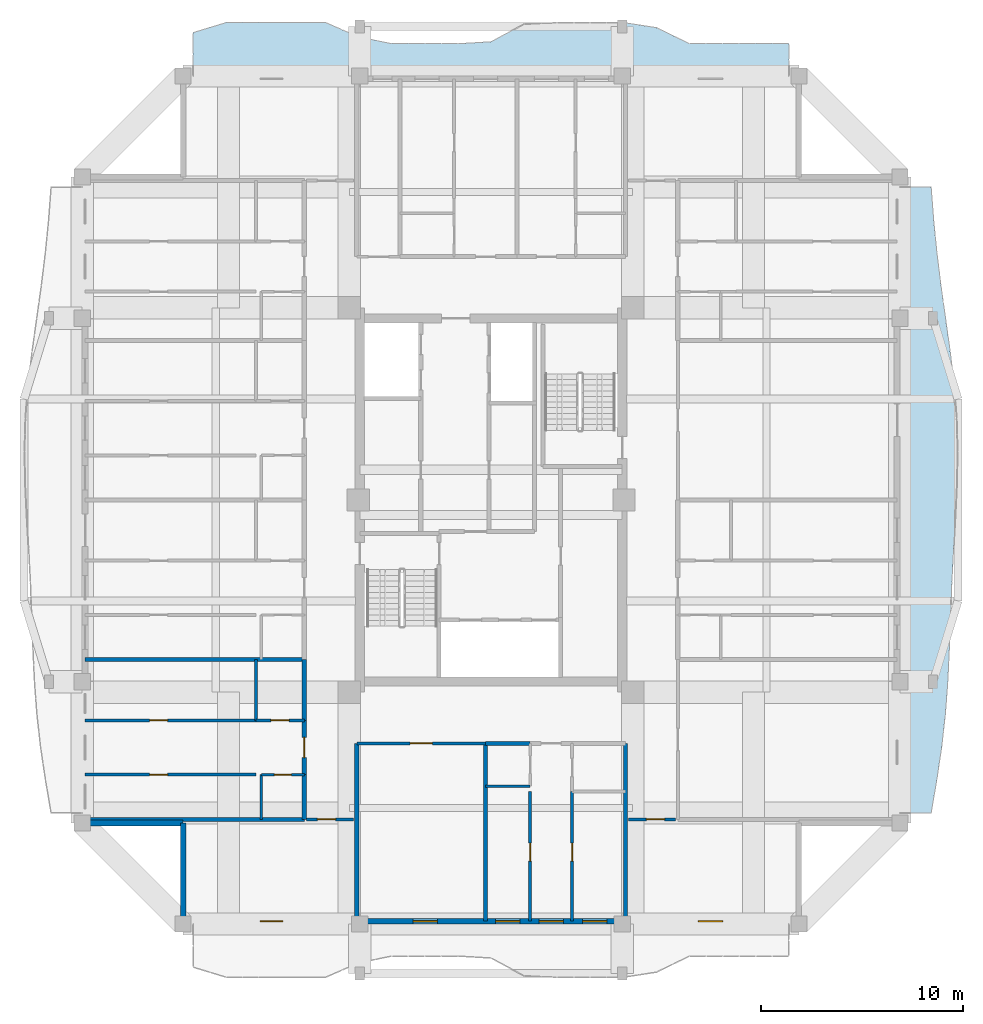
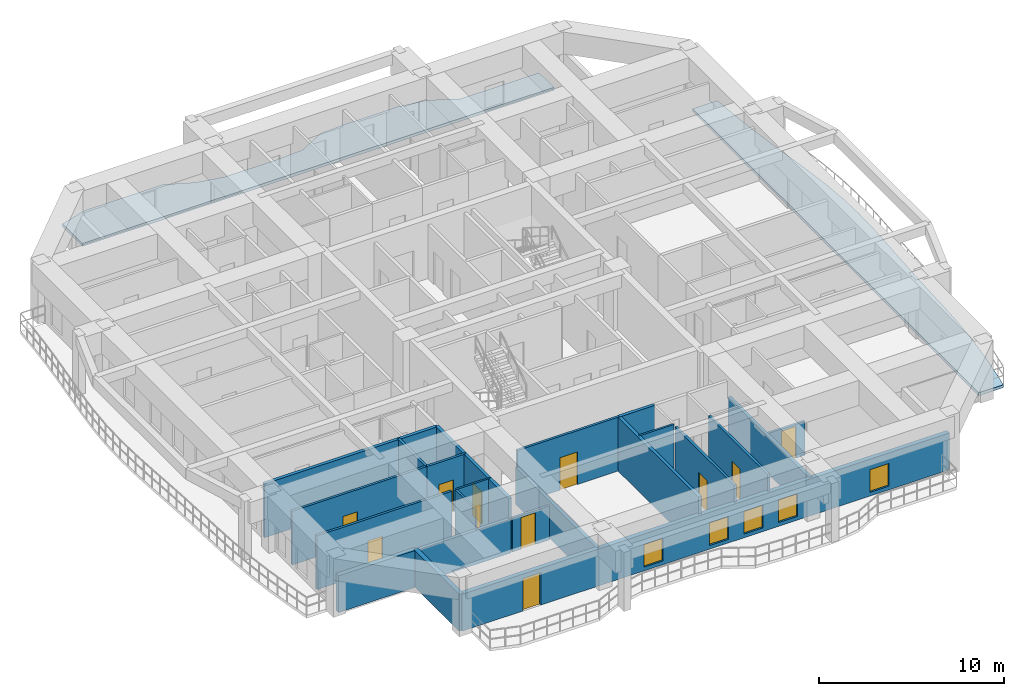
# One storey, part 2 of 13: 24 walls, 11 doors, 5 windows, 2 slabs, 16 openings.
"""IFC4 building model written with IfcOpenShell, lengths in metres."""

from ifc_helpers import new_model, si_unit, direction, frame, frame_2d, origin, place, context, subcontext, project, spatial, polyline, rectangle, outline, extrude, source, transform, mapped, material, layer, layer_set, type_object, element, fill, save


model = new_model("IFC4")

# Units and contexts
model_context = context("Model", 3, precision=1e-05, world=origin(), true_north=direction((0.0, 1.0)))
body_context = subcontext(model_context, "Body", "Model", "MODEL_VIEW")
ifc_project = project(units=[si_unit("LENGTHUNIT", "METRE"), si_unit("AREAUNIT", "SQUARE_METRE"), si_unit("VOLUMEUNIT", "CUBIC_METRE"), si_unit("PLANEANGLEUNIT", "RADIAN"), si_unit("MASSUNIT", "GRAM", prefix="KILO")], contexts=[model_context])

# Site, building, storey
site_placement = place(None, origin())
site = spatial("IfcSite", under=ifc_project, at=site_placement, CompositionType="ELEMENT")
building_placement = place(site_placement, origin())
building = spatial("IfcBuilding", under=site, at=building_placement, Name="Saelheon Loggia Tower", CompositionType="ELEMENT")
storey_placement = place(building_placement, frame((0.0, 0.0, 192.699951171875)))
storey = spatial("IfcBuildingStorey", under=building, at=storey_placement, Name="L60", CompositionType="ELEMENT", Elevation=192.699951171875)

# Slabs
ifc_material_1 = material(Name="Precast Concrete C45/55", Category="concrete")
ifc_layer_1 = layer(ifc_material_1, 0.18994140625)
ifc_layer_set_1 = layer_set([ifc_layer_1], Name="Precast Concrete C45/55")
slab_type = type_object("IfcSlabType", Name="Slab_Loggia_Ext_190", PredefinedType="FLOOR", material=ifc_layer_set_1)
slab_1_placement = place(storey_placement, frame((0.0, 0.0, -0.18994140625)))
element("IfcSlab", 1, at=slab_1_placement, inside=storey, type_object=slab_type, Name="L60 Loggia Balcony Slab N", PredefinedType="FLOOR", context=body_context, shape_type="SweptSolid", body=[
    extrude(outline(polyline([(23.25, 48.0), (52.75, 48.0), (52.75, 49.60009765625), (51.111083984375, 49.60009765625), (49.47216796875, 49.60009765625), (47.833251953125, 49.60009765625), (46.1943359375, 50.396240234375), (44.5556640625, 50.64990234375), (42.916748046875, 50.64990234375), (41.27783203125, 50.64990234375), (39.638916015625, 50.57177734375), (38.0, 49.69677734375), (36.361083984375, 49.60009765625), (34.72216796875, 49.60009765625), (33.083251953125, 49.60009765625), (31.4443359375, 49.936279296875), (29.8056640625, 50.64990234375), (28.166748046875, 50.64990234375), (26.52783203125, 50.64990234375), (24.888916015625, 50.64990234375), (23.25, 50.14990234375), (23.25, 48.0)])), origin(), (0.0, 0.0, 1.0), 0.18994140625),
])
slab_2_placement = place(storey_placement, frame((0.0, 0.0, -0.18994140625)))
element("IfcSlab", 2, at=slab_2_placement, inside=storey, type_object=slab_type, Name="L60 Loggia Balcony Slab E", PredefinedType="FLOOR", context=body_context, shape_type="SweptSolid", body=[
    extrude(outline(polyline([(58.25, 11.5), (59.800048828125, 11.5), (60.0791015625, 13.131591796875), (60.322021484375, 14.76318359375), (60.50537109375, 16.394775390625), (60.626708984375, 18.0263671875), (60.702392578125, 19.657958984375), (60.76025390625, 21.28955078125), (60.825439453125, 22.921142578125), (60.9091796875, 24.552490234375), (61.00244140625, 26.18408203125), (61.079833984375, 27.81591796875), (61.10888671875, 29.447509765625), (61.064697265625, 31.078857421875), (60.939208984375, 32.71044921875), (60.746337890625, 34.342041015625), (60.517578125, 35.9736328125), (60.28857421875, 37.605224609375), (60.087646484375, 39.23681640625), (59.925048828125, 40.868408203125), (59.800048828125, 42.5), (58.25, 42.5), (58.25, 11.5)])), origin(), (0.0, 0.0, 1.0), 0.18994140625),
])

# Wall, openings, windows, door
ifc_material_2 = material(Name="Architectural Precast Concrete C40/50", Category="concrete")
ifc_layer_2 = layer(ifc_material_2, 0.280029296875)
ifc_layer_set_2 = layer_set([ifc_layer_2], Name="Architectural Precast Concrete C40/50")
wall_type_1 = type_object("IfcWallType", Name="Wall_Ext_Loggia_280", PredefinedType="SOLIDWALL", material=ifc_layer_set_2)
wall_1_placement = place(storey_placement, frame((22.75, 6.139892578125, 0.0), z_axis=(0.0, 0.0, 1.0), x_axis=(1.0, 0.0, 0.0)))
wall_1 = element("IfcWall", 3, at=wall_1_placement, inside=storey, type_object=wall_type_1, Name="L60 South Loggia Inner Wall", PredefinedType="SOLIDWALL", context=body_context, shape_type="SweptSolid", body=[
    extrude(rectangle(XDim=30.5, YDim=0.280029296875, at=frame_2d((15.25, 0.0))), origin(), (0.0, 0.0, 1.0), 2.43994140625),
])
opening_1_placement = place(wall_1_placement, frame((4.925048828125, 0.0, 0.0), z_axis=(0.0, 0.0, 1.0), x_axis=(-1.0, 0.0, 0.0)))
opening_1 = element("IfcOpeningElement", 4, at=opening_1_placement, cuts=wall_1, Name="Opening TD1", PredefinedType="OPENING", context=body_context, shape_type="SweptSolid", body=[
    extrude(rectangle(XDim=1.10009765625, YDim=2.14990234375, at=frame_2d((0.550048828125, 1.074951171875))), frame((0.0, 0.152099609375, 0.0), z_axis=(0.0, -1.0, 0.0), x_axis=(1.0, 0.0, 0.0)), (0.0, 0.0, 1.0), 0.303955078125),
])
opening_2_placement = place(wall_1_placement, frame((11.386962890625, 0.0, 0.25)))
opening_2 = element("IfcOpeningElement", 5, at=opening_2_placement, cuts=wall_1, Name="Opening WN-03", PredefinedType="OPENING", context=body_context, shape_type="SweptSolid", body=[
    extrude(rectangle(XDim=1.199951171875, YDim=1.5, at=frame_2d((0.60009765625, 0.75))), frame((0.0, 0.152099609375, 0.0), z_axis=(0.0, -1.0, 0.0), x_axis=(1.0, 0.0, 0.0)), (0.0, 0.0, 1.0), 0.303955078125),
])
opening_3_placement = place(wall_1_placement, frame((15.48388671875, 0.0, 0.25)))
opening_3 = element("IfcOpeningElement", 6, at=opening_3_placement, cuts=wall_1, Name="Opening WN-03", PredefinedType="OPENING", context=body_context, shape_type="SweptSolid", body=[
    extrude(rectangle(XDim=1.199951171875, YDim=1.5, at=frame_2d((0.60009765625, 0.75))), frame((0.0, 0.152099609375, 0.0), z_axis=(0.0, -1.0, 0.0), x_axis=(1.0, 0.0, 0.0)), (0.0, 0.0, 1.0), 0.303955078125),
])
opening_4_placement = place(wall_1_placement, frame((17.6279296875, 0.0, 0.25)))
opening_4 = element("IfcOpeningElement", 7, at=opening_4_placement, cuts=wall_1, Name="Opening WN-03", PredefinedType="OPENING", context=body_context, shape_type="SweptSolid", body=[
    extrude(rectangle(XDim=1.199951171875, YDim=1.5, at=frame_2d((0.60009765625, 0.75))), frame((0.0, 0.152099609375, 0.0), z_axis=(0.0, -1.0, 0.0), x_axis=(1.0, 0.0, 0.0)), (0.0, 0.0, 1.0), 0.303955078125),
])
opening_5_placement = place(wall_1_placement, frame((19.791015625, 0.0, 0.25)))
opening_5 = element("IfcOpeningElement", 8, at=opening_5_placement, cuts=wall_1, Name="Opening WN-03", PredefinedType="OPENING", context=body_context, shape_type="SweptSolid", body=[
    extrude(rectangle(XDim=1.199951171875, YDim=1.5, at=frame_2d((0.60009765625, 0.75))), frame((0.0, 0.152099609375, 0.0), z_axis=(0.0, -1.0, 0.0), x_axis=(1.0, 0.0, 0.0)), (0.0, 0.0, 1.0), 0.303955078125),
])
opening_6_placement = place(wall_1_placement, frame((25.52490234375, 0.0, 0.25)))
opening_6 = element("IfcOpeningElement", 9, at=opening_6_placement, cuts=wall_1, Name="Opening WN-03", PredefinedType="OPENING", context=body_context, shape_type="SweptSolid", body=[
    extrude(rectangle(XDim=1.199951171875, YDim=1.5, at=frame_2d((0.60009765625, 0.75))), frame((0.0, 0.152099609375, 0.0), z_axis=(0.0, -1.0, 0.0), x_axis=(1.0, 0.0, 0.0)), (0.0, 0.0, 1.0), 0.303955078125),
])
ifc_material_3 = material(Name="Thermal-Break Aluminium and Triple Low-E Glass", Category="aluminium")
window_type = type_object("IfcWindowType", Name="Win_Bedroom_1200x1500", PartitioningType="SINGLE_PANEL", PredefinedType="WINDOW", material=ifc_material_3)
shared_shape_1 = source(origin(), body_context, "Body", "SweptSolid", [
    extrude(rectangle(XDim=1.199951171875, YDim=1.5, at=frame_2d((0.60009765625, 0.75))), frame((0.0, 0.030029296875, 0.0), z_axis=(0.0, -1.0, 0.0), x_axis=(1.0, 0.0, 0.0)), (0.0, 0.0, 1.0), 0.06005859375),
])
window_1_placement = place(opening_2_placement, origin())
window_1 = element("IfcWindow", 10, at=window_1_placement, inside=storey, type_object=window_type, Name="L60 S Dwelling Window 2", OverallHeight=1.5, OverallWidth=1.199951171875, PartitioningType="SINGLE_PANEL", PredefinedType="WINDOW", context=body_context, shape_type="MappedRepresentation", body=[
    mapped(shared_shape_1, transform((0.0, 0.0, 0.0), scale=1.0)),
])
fill(opening_2, window_1)
window_2_placement = place(opening_3_placement, origin())
window_2 = element("IfcWindow", 11, at=window_2_placement, inside=storey, type_object=window_type, Name="L60 S Dwelling Window 3", OverallHeight=1.5, OverallWidth=1.199951171875, PartitioningType="SINGLE_PANEL", PredefinedType="WINDOW", context=body_context, shape_type="MappedRepresentation", body=[
    mapped(shared_shape_1, transform((0.0, 0.0, 0.0), scale=1.0)),
])
fill(opening_3, window_2)
window_3_placement = place(opening_4_placement, origin())
window_3 = element("IfcWindow", 12, at=window_3_placement, inside=storey, type_object=window_type, Name="L60 S Dwelling Window 4", OverallHeight=1.5, OverallWidth=1.199951171875, PartitioningType="SINGLE_PANEL", PredefinedType="WINDOW", context=body_context, shape_type="MappedRepresentation", body=[
    mapped(shared_shape_1, transform((0.0, 0.0, 0.0), scale=1.0)),
])
fill(opening_4, window_3)
window_4_placement = place(opening_5_placement, origin())
window_4 = element("IfcWindow", 13, at=window_4_placement, inside=storey, type_object=window_type, Name="L60 S Dwelling Window 5", OverallHeight=1.5, OverallWidth=1.199951171875, PartitioningType="SINGLE_PANEL", PredefinedType="WINDOW", context=body_context, shape_type="MappedRepresentation", body=[
    mapped(shared_shape_1, transform((0.0, 0.0, 0.0), scale=1.0)),
])
fill(opening_5, window_4)
window_5_placement = place(opening_6_placement, origin())
window_5 = element("IfcWindow", 14, at=window_5_placement, inside=storey, type_object=window_type, Name="L60 S Dwelling Window 6", OverallHeight=1.5, OverallWidth=1.199951171875, PartitioningType="SINGLE_PANEL", PredefinedType="WINDOW", context=body_context, shape_type="MappedRepresentation", body=[
    mapped(shared_shape_1, transform((0.0, 0.0, 0.0), scale=1.0)),
])
fill(opening_6, window_5)
ifc_material_4 = material(Name="Thermal-Break Aluminium Glazed Door", Category="aluminium")
door_type_1 = type_object("IfcDoorType", Name="Door_Terrace_TD1", OperationType="NOTDEFINED", PredefinedType="DOOR", material=ifc_material_4)
shared_shape_2 = source(origin(), body_context, "Body", "SweptSolid", [
    extrude(rectangle(XDim=1.10009765625, YDim=2.14990234375, at=frame_2d((0.550048828125, 1.074951171875))), frame((0.0, 0.02490234375, 0.0), z_axis=(0.0, -1.0, 0.0), x_axis=(1.0, 0.0, 0.0)), (0.0, 0.0, 1.0), 0.050048828125),
])
door_1_placement = place(opening_1_placement, origin())
door_1 = element("IfcDoor", 15, at=door_1_placement, inside=storey, type_object=door_type_1, Name="L60 S Loggia Access Door", OperationType="SINGLE_SWING_LEFT", OverallHeight=2.14990234375, OverallWidth=1.10009765625, PredefinedType="DOOR", context=body_context, shape_type="MappedRepresentation", body=[
    mapped(shared_shape_2, transform((0.0, 0.0, 0.0), scale=1.0)),
])
fill(opening_1, door_1)

# Walls
for number, where, z_axis, x_axis, name in (
    (16, (22.75, 6.080078125, 0.0), (0.0, 0.0, 1.0), (0.0, 1.0, 0.0), "L60 Corner Notch Precast Wall SW1"),
    (17, (17.830078125, 11.0, 0.0), (0.0, 0.0, 1.0), (1.0, 0.0, 0.0), "L60 Corner Notch Precast Wall SW2"),
):
    element("IfcWall", number, at=place(storey_placement, frame(where, z_axis=z_axis, x_axis=x_axis)), inside=storey, type_object=wall_type_1, Name=name, PredefinedType="SOLIDWALL", context=body_context, shape_type="SweptSolid", body=[
        extrude(rectangle(XDim=4.919921875, YDim=0.280029296875, at=frame_2d((2.4599609375, 0.0))), origin(), (0.0, 0.0, 1.0), 2.43994140625),
    ])

# Wall, opening, door
ifc_material_5 = material(Name="Lightweight Autoclaved Aerated Concrete Block and Acoustic Gypsum", Category="concrete")
ifc_layer_3 = layer(ifc_material_5, 0.14990234375)
ifc_layer_set_3 = layer_set([ifc_layer_3], Name="Lightweight Autoclaved Aerated Concrete Block and Acoustic Gypsum")
wall_type_2 = type_object("IfcWallType", Name="Wall_Part_150", PredefinedType="PARTITIONING", material=ifc_layer_set_3)
wall_2_placement = place(storey_placement, frame((28.85009765625, 11.179931640625, 0.0), z_axis=(0.0, 0.0, 1.0), x_axis=(1.0, 0.0, 0.0)))
wall_2 = element("IfcWall", 18, at=wall_2_placement, inside=storey, type_object=wall_type_2, Name="PW-L60-CSW-H", PredefinedType="PARTITIONING", context=body_context, shape_type="SweptSolid", body=[
    extrude(rectangle(XDim=2.329833984375, YDim=0.14990234375, at=frame_2d((1.1650390625, 0.0))), origin(), (0.0, 0.0, 1.0), 2.239990234375),
])
opening_7_placement = place(wall_2_placement, frame((0.550048828125, 0.0, 0.0)))
opening_7 = element("IfcOpeningElement", 19, at=opening_7_placement, cuts=wall_2, Name="Opening D-IN2", PredefinedType="OPENING", context=body_context, shape_type="SweptSolid", body=[
    extrude(rectangle(XDim=0.89990234375, YDim=2.10009765625, at=frame_2d((0.449951171875, 1.050048828125))), frame((0.0, 0.0869140625, 0.0), z_axis=(0.0, -1.0, 0.0), x_axis=(1.0, 0.0, 0.0)), (0.0, 0.0, 1.0), 0.173828125),
])
ifc_material_6 = material(Name="Engineered Oak Flush Door", Category="timber")
door_type_2 = type_object("IfcDoorType", Name="Door_Int_900", OperationType="NOTDEFINED", PredefinedType="DOOR", material=ifc_material_6)
shared_shape_3 = source(origin(), body_context, "Body", "SweptSolid", [
    extrude(rectangle(XDim=0.89990234375, YDim=2.10009765625, at=frame_2d((0.449951171875, 1.050048828125))), frame((0.0, 0.02490234375, 0.0), z_axis=(0.0, -1.0, 0.0), x_axis=(1.0, 0.0, 0.0)), (0.0, 0.0, 1.0), 0.050048828125),
])
door_2_placement = place(opening_7_placement, origin())
door_2 = element("IfcDoor", 20, at=door_2_placement, inside=storey, type_object=door_type_2, Name="L60 Corner Home Office SW Door", OperationType="SINGLE_SWING_LEFT", OverallHeight=2.10009765625, OverallWidth=0.89990234375, PredefinedType="DOOR", context=body_context, shape_type="MappedRepresentation", body=[
    mapped(shared_shape_3, transform((0.0, 0.0, 0.0), scale=1.0)),
])
fill(opening_7, door_2)

wall_3_placement = place(storey_placement, frame((44.820068359375, 11.179931640625, 0.0), z_axis=(0.0, 0.0, 1.0), x_axis=(1.0, 0.0, 0.0)))
wall_3 = element("IfcWall", 21, at=wall_3_placement, inside=storey, type_object=wall_type_2, Name="PW-L60-CSE-H", PredefinedType="PARTITIONING", context=body_context, shape_type="SweptSolid", body=[
    extrude(rectangle(XDim=2.329833984375, YDim=0.14990234375, at=frame_2d((1.1650390625, 0.0))), origin(), (0.0, 0.0, 1.0), 2.239990234375),
])
opening_8_placement = place(wall_3_placement, frame((0.8798828125, 0.0, 0.0)))
opening_8 = element("IfcOpeningElement", 22, at=opening_8_placement, cuts=wall_3, Name="Opening D-IN2", PredefinedType="OPENING", context=body_context, shape_type="SweptSolid", body=[
    extrude(rectangle(XDim=0.89990234375, YDim=2.10009765625, at=frame_2d((0.449951171875, 1.050048828125))), frame((0.0, 0.0869140625, 0.0), z_axis=(0.0, -1.0, 0.0), x_axis=(1.0, 0.0, 0.0)), (0.0, 0.0, 1.0), 0.173828125),
])
door_3_placement = place(opening_8_placement, origin())
door_3 = element("IfcDoor", 23, at=door_3_placement, inside=storey, type_object=door_type_2, Name="L60 Corner Reading Room SE Door", OperationType="SINGLE_SWING_LEFT", OverallHeight=2.10009765625, OverallWidth=0.89990234375, PredefinedType="DOOR", context=body_context, shape_type="MappedRepresentation", body=[
    mapped(shared_shape_3, transform((0.0, 0.0, 0.0), scale=1.0)),
])
fill(opening_8, door_3)

wall_4_placement = place(storey_placement, frame((31.35009765625, 14.949951171875, 0.0), z_axis=(0.0, 0.0, 1.0), x_axis=(1.0, 0.0, 0.0)))
wall_4 = element("IfcWall", 24, at=wall_4_placement, inside=storey, type_object=wall_type_2, Name="L60 S Partition V03", PredefinedType="PARTITIONING", context=body_context, shape_type="SweptSolid", body=[
    extrude(rectangle(XDim=6.3837890625, YDim=0.14990234375, at=frame_2d((3.19189453125, 0.0))), origin(), (0.0, 0.0, 1.0), 3.56005859375),
])
opening_9_placement = place(wall_4_placement, frame((2.64208984375, 0.0, 0.0)))
opening_9 = element("IfcOpeningElement", 25, at=opening_9_placement, cuts=wall_4, Name="Opening D-FD2", PredefinedType="OPENING", context=body_context, shape_type="SweptSolid", body=[
    extrude(rectangle(XDim=1.10009765625, YDim=2.14990234375, at=frame_2d((0.550048828125, 1.074951171875))), frame((0.0, 0.0869140625, 0.0), z_axis=(0.0, -1.0, 0.0), x_axis=(1.0, 0.0, 0.0)), (0.0, 0.0, 1.0), 0.173828125),
])
ifc_material_7 = material(Name="Galvanised Steel Fire Door", Category="steel")
door_type_3 = type_object("IfcDoorType", Name="Door_Fire_FD60_1100", OperationType="NOTDEFINED", PredefinedType="DOOR", material=ifc_material_7)
door_4_placement = place(opening_9_placement, origin())
door_4 = element("IfcDoor", 26, at=door_4_placement, inside=storey, type_object=door_type_3, Name="L60 Sky Community Club Hall Door A", OperationType="SINGLE_SWING_LEFT", OverallHeight=2.14990234375, OverallWidth=1.10009765625, PredefinedType="DOOR", context=body_context, shape_type="MappedRepresentation", body=[
    mapped(shared_shape_2, transform((0.0, 0.0, 0.0), scale=1.0)),
])
fill(opening_9, door_4)

wall_5_placement = place(storey_placement, frame((39.93408203125, 12.550048828125, 0.0), z_axis=(0.0, 0.0, 1.0), x_axis=(0.0, -1.0, 0.0)))
wall_5 = element("IfcWall", 27, at=wall_5_placement, inside=storey, type_object=wall_type_2, Name="L60 S Partition U11", PredefinedType="PARTITIONING", context=body_context, shape_type="SweptSolid", body=[
    extrude(rectangle(XDim=6.400146484375, YDim=0.14990234375, at=frame_2d((3.2001953125, 0.0))), origin(), (0.0, 0.0, 1.0), 3.56005859375),
])
opening_10_placement = place(wall_5_placement, frame((2.540771484375, 0.0, 0.0)))
opening_10 = element("IfcOpeningElement", 28, at=opening_10_placement, cuts=wall_5, Name="Opening D-IN2", PredefinedType="OPENING", context=body_context, shape_type="SweptSolid", body=[
    extrude(rectangle(XDim=0.89990234375, YDim=2.10009765625, at=frame_2d((0.449951171875, 1.050048828125))), frame((0.0, 0.0869140625, 0.0), z_axis=(0.0, -1.0, 0.0), x_axis=(1.0, 0.0, 0.0)), (0.0, 0.0, 1.0), 0.173828125),
])
door_5_placement = place(opening_10_placement, origin())
door_5 = element("IfcDoor", 29, at=door_5_placement, inside=storey, type_object=door_type_2, Name="Unit U01 Kitchen Door", OperationType="SINGLE_SWING_RIGHT", OverallHeight=2.10009765625, OverallWidth=0.89990234375, PredefinedType="DOOR", context=body_context, shape_type="MappedRepresentation", body=[
    mapped(shared_shape_3, transform((0.0, 0.0, 0.0), scale=1.0)),
])
fill(opening_10, door_5)

wall_6_placement = place(storey_placement, frame((42.02197265625, 12.550048828125, 0.0), z_axis=(0.0, 0.0, 1.0), x_axis=(0.0, -1.0, 0.0)))
wall_6 = element("IfcWall", 30, at=wall_6_placement, inside=storey, type_object=wall_type_2, Name="L60 S Partition U13", PredefinedType="PARTITIONING", context=body_context, shape_type="SweptSolid", body=[
    extrude(rectangle(XDim=6.400146484375, YDim=0.14990234375, at=frame_2d((3.2001953125, 0.0))), origin(), (0.0, 0.0, 1.0), 3.56005859375),
])
opening_11_placement = place(wall_6_placement, frame((2.540771484375, 0.0, 0.0)))
opening_11 = element("IfcOpeningElement", 31, at=opening_11_placement, cuts=wall_6, Name="Opening D-IN2", PredefinedType="OPENING", context=body_context, shape_type="SweptSolid", body=[
    extrude(rectangle(XDim=0.89990234375, YDim=2.10009765625, at=frame_2d((0.449951171875, 1.050048828125))), frame((0.0, 0.0869140625, 0.0), z_axis=(0.0, -1.0, 0.0), x_axis=(1.0, 0.0, 0.0)), (0.0, 0.0, 1.0), 0.173828125),
])
door_6_placement = place(opening_11_placement, origin())
door_6 = element("IfcDoor", 32, at=door_6_placement, inside=storey, type_object=door_type_2, Name="Unit U01 Bedroom 1 Door", OperationType="SINGLE_SWING_RIGHT", OverallHeight=2.10009765625, OverallWidth=0.89990234375, PredefinedType="DOOR", context=body_context, shape_type="MappedRepresentation", body=[
    mapped(shared_shape_3, transform((0.0, 0.0, 0.0), scale=1.0)),
])
fill(opening_11, door_6)

# Wall
wall_7_placement = place(storey_placement, frame((26.35009765625, 16.084228515625, 0.0), z_axis=(0.0, 0.0, 1.0), x_axis=(0.0, 1.0, 0.0)))
element("IfcWall", 33, at=wall_7_placement, inside=storey, type_object=wall_type_2, Name="L60 W Partition V07", PredefinedType="PARTITIONING", context=body_context, shape_type="SweptSolid", body=[
    extrude(rectangle(XDim=3.005859375, YDim=0.14990234375, at=frame_2d((1.5029296875, 0.0))), origin(), (0.0, 0.0, 1.0), 3.56005859375),
])

# Wall, opening, door
wall_8_placement = place(storey_placement, frame((26.35009765625, 13.394775390625, 0.0), z_axis=(0.0, 0.0, 1.0), x_axis=(-1.0, 0.0, 0.0)))
wall_8 = element("IfcWall", 34, at=wall_8_placement, inside=storey, type_object=wall_type_2, Name="L60 W Partition U09", PredefinedType="PARTITIONING", context=body_context, shape_type="SweptSolid", body=[
    extrude(rectangle(XDim=8.4501953125, YDim=0.14990234375, at=frame_2d((4.22509765625, 0.0))), origin(), (0.0, 0.0, 1.0), 3.56005859375),
])
opening_12_placement = place(wall_8_placement, frame((4.3642578125, 0.0, 0.0)))
opening_12 = element("IfcOpeningElement", 35, at=opening_12_placement, cuts=wall_8, Name="Opening D-IN2", PredefinedType="OPENING", context=body_context, shape_type="SweptSolid", body=[
    extrude(rectangle(XDim=0.89990234375, YDim=2.10009765625, at=frame_2d((0.449951171875, 1.050048828125))), frame((0.0, 0.0869140625, 0.0), z_axis=(0.0, -1.0, 0.0), x_axis=(1.0, 0.0, 0.0)), (0.0, 0.0, 1.0), 0.173828125),
])
door_7_placement = place(opening_12_placement, origin())
door_7 = element("IfcDoor", 36, at=door_7_placement, inside=storey, type_object=door_type_2, Name="Unit U04 Kitchen Door", OperationType="SINGLE_SWING_RIGHT", OverallHeight=2.10009765625, OverallWidth=0.89990234375, PredefinedType="DOOR", context=body_context, shape_type="MappedRepresentation", body=[
    mapped(shared_shape_3, transform((0.0, 0.0, 0.0), scale=1.0)),
])
fill(opening_12, door_7)

wall_9_placement = place(storey_placement, frame((28.75, 16.084228515625, 0.0), z_axis=(0.0, 0.0, 1.0), x_axis=(-1.0, 0.0, 0.0)))
wall_9 = element("IfcWall", 37, at=wall_9_placement, inside=storey, type_object=wall_type_2, Name="L60 W Partition U10", PredefinedType="PARTITIONING", context=body_context, shape_type="SweptSolid", body=[
    extrude(rectangle(XDim=2.39990234375, YDim=0.14990234375, at=frame_2d((1.199951171875, 0.0))), origin(), (0.0, 0.0, 1.0), 3.56005859375),
])
opening_13_placement = place(wall_9_placement, frame((0.75, 0.0, 0.0)))
opening_13 = element("IfcOpeningElement", 38, at=opening_13_placement, cuts=wall_9, Name="Opening D-IN2", PredefinedType="OPENING", context=body_context, shape_type="SweptSolid", body=[
    extrude(rectangle(XDim=0.89990234375, YDim=2.10009765625, at=frame_2d((0.449951171875, 1.050048828125))), frame((0.0, 0.0869140625, 0.0), z_axis=(0.0, -1.0, 0.0), x_axis=(1.0, 0.0, 0.0)), (0.0, 0.0, 1.0), 0.173828125),
])
door_8_placement = place(opening_13_placement, origin())
door_8 = element("IfcDoor", 39, at=door_8_placement, inside=storey, type_object=door_type_2, Name="Unit U04 Dressing Closet Door", OperationType="SINGLE_SWING_LEFT", OverallHeight=2.10009765625, OverallWidth=0.89990234375, PredefinedType="DOOR", context=body_context, shape_type="MappedRepresentation", body=[
    mapped(shared_shape_3, transform((0.0, 0.0, 0.0), scale=1.0)),
])
fill(opening_13, door_8)

wall_10_placement = place(storey_placement, frame((26.35009765625, 16.084228515625, 0.0), z_axis=(0.0, 0.0, 1.0), x_axis=(-1.0, 0.0, 0.0)))
wall_10 = element("IfcWall", 40, at=wall_10_placement, inside=storey, type_object=wall_type_2, Name="L60 W Partition U11", PredefinedType="PARTITIONING", context=body_context, shape_type="SweptSolid", body=[
    extrude(rectangle(XDim=8.4501953125, YDim=0.14990234375, at=frame_2d((4.22509765625, 0.0))), origin(), (0.0, 0.0, 1.0), 3.56005859375),
])
opening_14_placement = place(wall_10_placement, frame((4.3642578125, 0.0, 0.0)))
opening_14 = element("IfcOpeningElement", 41, at=opening_14_placement, cuts=wall_10, Name="Opening D-IN2", PredefinedType="OPENING", context=body_context, shape_type="SweptSolid", body=[
    extrude(rectangle(XDim=0.89990234375, YDim=2.10009765625, at=frame_2d((0.449951171875, 1.050048828125))), frame((0.0, 0.0869140625, 0.0), z_axis=(0.0, -1.0, 0.0), x_axis=(1.0, 0.0, 0.0)), (0.0, 0.0, 1.0), 0.173828125),
])
door_9_placement = place(opening_14_placement, origin())
door_9 = element("IfcDoor", 42, at=door_9_placement, inside=storey, type_object=door_type_2, Name="Unit U04 Bedroom 1 Door", OperationType="SINGLE_SWING_RIGHT", OverallHeight=2.10009765625, OverallWidth=0.89990234375, PredefinedType="DOOR", context=body_context, shape_type="MappedRepresentation", body=[
    mapped(shared_shape_3, transform((0.0, 0.0, 0.0), scale=1.0)),
])
fill(opening_14, door_9)

# Walls
ifc_material_8 = material(Name="Double Acoustic Stud and Fireboard Partition", Category="gypsum")
ifc_layer_4 = layer(ifc_material_8, 0.199951171875)
ifc_layer_set_4 = layer_set([ifc_layer_4], Name="Double Acoustic Stud and Fireboard Partition")
wall_type_3 = type_object("IfcWallType", Name="Wall_Party_200", PredefinedType="PARTITIONING", material=ifc_layer_set_4)
for number, where, z_axis, x_axis, name in (
    (43, (31.35009765625, 14.949951171875, 0.0), (0.0, 0.0, 1.0), (0.0, -1.0, 0.0), "L60 S Partition U01"),
    (44, (44.64990234375, 14.949951171875, 0.0), (0.0, 0.0, 1.0), (0.0, -1.0, 0.0), "L60 S Partition U02"),
):
    element("IfcWall", number, at=place(storey_placement, frame(where, z_axis=z_axis, x_axis=x_axis)), inside=storey, type_object=wall_type_3, Name=name, PredefinedType="PARTITIONING", context=body_context, shape_type="SweptSolid", body=[
        extrude(rectangle(XDim=8.800048828125, YDim=0.199951171875, at=frame_2d((4.39990234375, 0.0))), origin(), (0.0, 0.0, 1.0), 2.43994140625),
    ])
wall_11_placement = place(storey_placement, frame((37.73388671875, 14.949951171875, 0.0), z_axis=(0.0, 0.0, 1.0), x_axis=(0.0, -1.0, 0.0)))
element("IfcWall", 45, at=wall_11_placement, inside=storey, type_object=wall_type_3, Name="L60 S Partition U04", PredefinedType="PARTITIONING", context=body_context, shape_type="SweptSolid", body=[
    extrude(rectangle(XDim=8.800048828125, YDim=0.199951171875, at=frame_2d((4.39990234375, 0.0))), origin(), (0.0, 0.0, 1.0), 3.56005859375),
])
wall_12_placement = place(storey_placement, frame((37.73388671875, 14.949951171875, 0.0), z_axis=(0.0, 0.0, 1.0), x_axis=(1.0, 0.0, 0.0)))
element("IfcWall", 46, at=wall_12_placement, inside=storey, type_object=wall_type_3, Name="L60 S Partition V05", PredefinedType="PARTITIONING", context=body_context, shape_type="SweptSolid", body=[
    extrude(rectangle(XDim=2.2001953125, YDim=0.199951171875, at=frame_2d((1.10009765625, 0.0))), origin(), (0.0, 0.0, 1.0), 3.56005859375),
])
wall_13_placement = place(storey_placement, frame((28.75, 11.179931640625, 0.0), z_axis=(0.0, 0.0, 1.0), x_axis=(-1.0, 0.0, 0.0)))
element("IfcWall", 47, at=wall_13_placement, inside=storey, type_object=wall_type_3, Name="L60 W Partition U01", PredefinedType="PARTITIONING", context=body_context, shape_type="SweptSolid", body=[
    extrude(rectangle(XDim=10.85009765625, YDim=0.199951171875, at=frame_2d((5.425048828125, 0.0))), origin(), (0.0, 0.0, 1.0), 2.239990234375),
])
wall_14_placement = place(storey_placement, frame((28.75, 11.179931640625, 0.0), z_axis=(0.0, 0.0, 1.0), x_axis=(0.0, 1.0, 0.0)))
element("IfcWall", 48, at=wall_14_placement, inside=storey, type_object=wall_type_3, Name="L60 W Partition V03", PredefinedType="PARTITIONING", context=body_context, shape_type="SweptSolid", body=[
    extrude(rectangle(XDim=2.21484375, YDim=0.199951171875, at=frame_2d((1.107421875, 0.0))), origin(), (0.0, 0.0, 1.0), 3.56005859375),
])

# Wall, opening, door
wall_15_placement = place(storey_placement, frame((28.75, 13.394775390625, 0.0), z_axis=(0.0, 0.0, 1.0), x_axis=(0.0, 1.0, 0.0)))
wall_15 = element("IfcWall", 49, at=wall_15_placement, inside=storey, type_object=wall_type_3, Name="L60 W Partition V04", PredefinedType="PARTITIONING", context=body_context, shape_type="SweptSolid", body=[
    extrude(rectangle(XDim=2.689453125, YDim=0.199951171875, at=frame_2d((1.3447265625, 0.0))), origin(), (0.0, 0.0, 1.0), 3.56005859375),
])
opening_15_placement = place(wall_15_placement, frame((0.8447265625, 0.0, 0.0)))
opening_15 = element("IfcOpeningElement", 50, at=opening_15_placement, cuts=wall_15, Name="Opening D-FD1", PredefinedType="OPENING", context=body_context, shape_type="SweptSolid", body=[
    extrude(rectangle(XDim=1.0, YDim=2.14990234375, at=frame_2d((0.5, 1.074951171875))), frame((0.0, 0.112060546875, 0.0), z_axis=(0.0, -1.0, 0.0), x_axis=(1.0, 0.0, 0.0)), (0.0, 0.0, 1.0), 0.223876953125),
])
ifc_material_9 = material(Name="Fire-Rated Engineered Timber Entrance Door", Category="wood")
door_type_4 = type_object("IfcDoorType", Name="Door_Flat_FD30S", OperationType="NOTDEFINED", PredefinedType="DOOR", material=ifc_material_9)
shared_shape_4 = source(origin(), body_context, "Body", "SweptSolid", [
    extrude(rectangle(XDim=1.0, YDim=2.14990234375, at=frame_2d((0.5, 1.074951171875))), frame((0.0, 0.02490234375, 0.0), z_axis=(0.0, -1.0, 0.0), x_axis=(1.0, 0.0, 0.0)), (0.0, 0.0, 1.0), 0.050048828125),
])
door_10_placement = place(opening_15_placement, origin())
door_10 = element("IfcDoor", 51, at=door_10_placement, inside=storey, type_object=door_type_4, Name="Unit U04 Entrance Door", OperationType="SINGLE_SWING_RIGHT", OverallHeight=2.14990234375, OverallWidth=1.0, PredefinedType="DOOR", context=body_context, shape_type="MappedRepresentation", body=[
    mapped(shared_shape_4, transform((0.0, 0.0, 0.0), scale=1.0)),
])
fill(opening_15, door_10)

# Walls
wall_16_placement = place(storey_placement, frame((28.75, 16.084228515625, 0.0), z_axis=(0.0, 0.0, 1.0), x_axis=(0.0, 1.0, 0.0)))
element("IfcWall", 52, at=wall_16_placement, inside=storey, type_object=wall_type_3, Name="L60 W Partition V05", PredefinedType="PARTITIONING", context=body_context, shape_type="SweptSolid", body=[
    extrude(rectangle(XDim=3.005859375, YDim=0.199951171875, at=frame_2d((1.5029296875, 0.0))), origin(), (0.0, 0.0, 1.0), 3.56005859375),
])
wall_17_placement = place(storey_placement, frame((28.75, 19.090087890625, 0.0), z_axis=(0.0, 0.0, 1.0), x_axis=(-1.0, 0.0, 0.0)))
element("IfcWall", 53, at=wall_17_placement, inside=storey, type_object=wall_type_3, Name="L60 W Partition U12", PredefinedType="PARTITIONING", context=body_context, shape_type="SweptSolid", body=[
    extrude(rectangle(XDim=10.85009765625, YDim=0.199951171875, at=frame_2d((5.425048828125, 0.0))), origin(), (0.0, 0.0, 1.0), 3.56005859375),
])
ifc_material_10 = material(Name="Moisture-Resistant Cement Board Partition", Category="gypsum")
ifc_layer_5 = layer(ifc_material_10, 0.1201171875)
ifc_layer_set_5 = layer_set([ifc_layer_5], Name="Moisture-Resistant Cement Board Partition")
wall_type_4 = type_object("IfcWallType", Name="Wall_WetPart_120", PredefinedType="PARTITIONING", material=ifc_layer_set_5)
wall_18_placement = place(storey_placement, frame((37.73388671875, 12.830078125, 0.0), z_axis=(0.0, 0.0, 1.0), x_axis=(1.0, 0.0, 0.0)))
element("IfcWall", 54, at=wall_18_placement, inside=storey, type_object=wall_type_4, Name="L60 S Partition V08", PredefinedType="PARTITIONING", context=body_context, shape_type="SweptSolid", body=[
    extrude(rectangle(XDim=2.2001953125, YDim=0.1201171875, at=frame_2d((1.10009765625, 0.0))), origin(), (0.0, 0.0, 1.0), 3.56005859375),
])
wall_19_placement = place(storey_placement, frame((26.6298828125, 11.179931640625, 0.0), z_axis=(0.0, 0.0, 1.0), x_axis=(0.0, 1.0, 0.0)))
element("IfcWall", 55, at=wall_19_placement, inside=storey, type_object=wall_type_4, Name="L60 W Partition V06", PredefinedType="PARTITIONING", context=body_context, shape_type="SweptSolid", body=[
    extrude(rectangle(XDim=2.21484375, YDim=0.1201171875, at=frame_2d((1.107421875, 0.0))), origin(), (0.0, 0.0, 1.0), 3.56005859375),
])

# Wall, opening, door
wall_20_placement = place(storey_placement, frame((28.75, 13.394775390625, 0.0), z_axis=(0.0, 0.0, 1.0), x_axis=(-1.0, 0.0, 0.0)))
wall_20 = element("IfcWall", 56, at=wall_20_placement, inside=storey, type_object=wall_type_4, Name="L60 W Partition U08", PredefinedType="PARTITIONING", context=body_context, shape_type="SweptSolid", body=[
    extrude(rectangle(XDim=2.1201171875, YDim=0.1201171875, at=frame_2d((1.06005859375, 0.0))), origin(), (0.0, 0.0, 1.0), 3.56005859375),
])
opening_16_placement = place(wall_20_placement, frame((0.635009765625, 0.0, 0.0)))
opening_16 = element("IfcOpeningElement", 57, at=opening_16_placement, cuts=wall_20, Name="Opening D-BT1", PredefinedType="OPENING", context=body_context, shape_type="SweptSolid", body=[
    extrude(rectangle(XDim=0.85009765625, YDim=2.050048828125, at=frame_2d((0.425048828125, 1.02490234375))), frame((0.0, 0.072021484375, 0.0), z_axis=(0.0, -1.0, 0.0), x_axis=(1.0, 0.0, 0.0)), (0.0, 0.0, 1.0), 0.14404296875),
])
ifc_material_11 = material(Name="Moisture-Resistant Laminate Timber Door", Category="wood")
door_type_5 = type_object("IfcDoorType", Name="Door_Bath_850", OperationType="NOTDEFINED", PredefinedType="DOOR", material=ifc_material_11)
shared_shape_5 = source(origin(), body_context, "Body", "SweptSolid", [
    extrude(rectangle(XDim=0.85009765625, YDim=2.050048828125, at=frame_2d((0.425048828125, 1.02490234375))), frame((0.0, 0.02490234375, 0.0), z_axis=(0.0, -1.0, 0.0), x_axis=(1.0, 0.0, 0.0)), (0.0, 0.0, 1.0), 0.050048828125),
])
door_11_placement = place(opening_16_placement, origin())
door_11 = element("IfcDoor", 58, at=door_11_placement, inside=storey, type_object=door_type_5, Name="Unit U04 Bathroom Door", OperationType="SINGLE_SWING_LEFT", OverallHeight=2.050048828125, OverallWidth=0.85009765625, PredefinedType="DOOR", context=body_context, shape_type="MappedRepresentation", body=[
    mapped(shared_shape_5, transform((0.0, 0.0, 0.0), scale=1.0)),
])
fill(opening_16, door_11)

save(model, "model.ifc")
